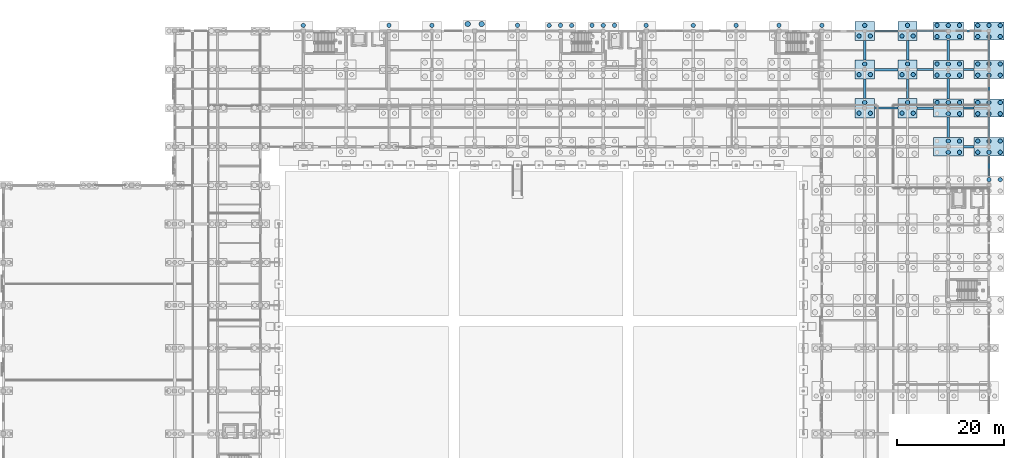
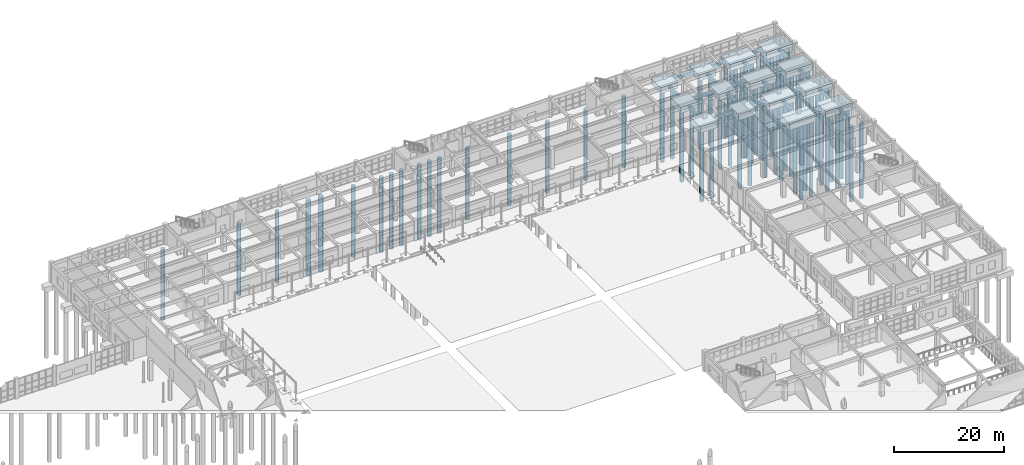
# One storey, part 9 of 166: 82 piles, 35 footings.
"""IFC4 building model written with IfcOpenShell, lengths in metres."""

from ifc_helpers import new_model, si_unit, direction, frame, origin, origin_2d, place, context, subcontext, project, spatial, rectangle, circle, extrude, material, material_profile, profile_set, type_object, element, save


model = new_model("IFC4")

# Units and contexts
model_context = context("Model", 3, precision=1e-05, world=origin(), true_north=direction((0.0, 1.0)))
body_context = subcontext(model_context, "Body", "Model", "MODEL_VIEW")
ifc_project = project(units=[si_unit("LENGTHUNIT", "METRE"), si_unit("AREAUNIT", "SQUARE_METRE"), si_unit("VOLUMEUNIT", "CUBIC_METRE"), si_unit("PLANEANGLEUNIT", "RADIAN"), si_unit("MASSUNIT", "GRAM", prefix="KILO")], contexts=[model_context])

# Site, building, storey
site_placement = place(None, origin())
site = spatial("IfcSite", under=ifc_project, at=site_placement, CompositionType="ELEMENT")
building_placement = place(site_placement, origin())
building = spatial("IfcBuilding", under=site, at=building_placement, Name="Kharva Crest Polytechnic", CompositionType="ELEMENT")
storey_placement = place(building_placement, origin())
storey = spatial("IfcBuildingStorey", under=building, at=storey_placement, Name="L00", CompositionType="ELEMENT", Elevation=0.0)

# Footings
ifc_material = material(Name="Concrete C35/45", Category="concrete")
footing_type_1 = type_object("IfcFootingType", Name="FTG-GB-400X600", PredefinedType="FOOTING_BEAM", material=ifc_material)
footing_1_placement = place(storey_placement, frame((164.800048828125, 107.60009765625, -1.005126953125), z_axis=(0.0, 0.0, 1.0), x_axis=(1.0, 0.0, 0.0)))
element("IfcFooting", 1, at=footing_1_placement, inside=storey, type_object=footing_type_1, Name="L00 Ground Tie Beam Q/21-22", PredefinedType="FOOTING_BEAM", context=body_context, shape_type="SweptSolid", body=[
    extrude(rectangle(XDim=4.39990234375, YDim=0.39990234375, at=origin_2d()), origin(), (0.0, 0.0, 1.0), 0.60009765625),
])
footing_2_placement = place(storey_placement, frame((180.199951171875, 114.800048828125, -1.005126953125), z_axis=(0.0, 0.0, 1.0), x_axis=(1.0, 0.0, 0.0)))
element("IfcFooting", 2, at=footing_2_placement, inside=storey, type_object=footing_type_1, Name="L00 Ground Tie Beam R/23-24", PredefinedType="FOOTING_BEAM", context=body_context, shape_type="SweptSolid", body=[
    extrude(rectangle(XDim=2.0, YDim=0.39990234375, at=origin_2d()), origin(), (0.0, 0.0, 1.0), 0.60009765625),
])
footing_3_placement = place(storey_placement, frame((172.10009765625, 122.0, -1.005126953125), z_axis=(0.0, 0.0, 1.0), x_axis=(1.0, 0.0, 0.0)))
element("IfcFooting", 3, at=footing_3_placement, inside=storey, type_object=footing_type_1, Name="L00 Ground Tie Beam S/22-23", PredefinedType="FOOTING_BEAM", context=body_context, shape_type="SweptSolid", body=[
    extrude(rectangle(XDim=3.0, YDim=0.39990234375, at=origin_2d()), origin(), (0.0, 0.0, 1.0), 0.60009765625),
])
footing_4_placement = place(storey_placement, frame((168.800048828125, 111.199951171875, -1.005126953125), z_axis=(0.0, 0.0, 1.0), x_axis=(0.0, 1.0, 0.0)))
element("IfcFooting", 4, at=footing_4_placement, inside=storey, type_object=footing_type_1, Name="L00 Ground Tie Beam 22/Q-R", PredefinedType="FOOTING_BEAM", context=body_context, shape_type="SweptSolid", body=[
    extrude(rectangle(XDim=3.60009765625, YDim=0.39990234375, at=origin_2d()), origin(), (0.0, 0.0, 1.0), 0.60009765625),
])
for number, where, z_axis, x_axis, name in (
    (5, (176.39990234375, 118.39990234375, -1.005126953125), (0.0, 0.0, 1.0), (0.0, 1.0, 0.0), "L00 Ground Tie Beam 23/R-S"),
    (6, (184.0, 104.0, -1.005126953125), (0.0, 0.0, 1.0), (0.0, 1.0, 0.0), "L00 Ground Tie Beam 24/P-Q"),
):
    element("IfcFooting", number, at=place(storey_placement, frame(where, z_axis=z_axis, x_axis=x_axis)), inside=storey, type_object=footing_type_1, Name=name, PredefinedType="FOOTING_BEAM", context=body_context, shape_type="SweptSolid", body=[
        extrude(rectangle(XDim=3.800048828125, YDim=0.39990234375, at=origin_2d()), origin(), (0.0, 0.0, 1.0), 0.60009765625),
    ])
footing_type_2 = type_object("IfcFootingType", Name="FTG-GB-420X620", PredefinedType="FOOTING_BEAM", material=ifc_material)
footing_5_placement = place(storey_placement, frame((180.199951171875, 107.60009765625, -1.025146484375), z_axis=(0.0, 0.0, 1.0), x_axis=(1.0, 0.0, 0.0)))
element("IfcFooting", 7, at=footing_5_placement, inside=storey, type_object=footing_type_2, Name="L00 Ground Tie Beam Q/23-24", PredefinedType="FOOTING_BEAM", context=body_context, shape_type="SweptSolid", body=[
    extrude(rectangle(XDim=2.0, YDim=0.419921875, at=origin_2d()), origin(), (0.0, 0.0, 1.0), 0.6201171875),
])
footing_6_placement = place(storey_placement, frame((172.10009765625, 114.800048828125, -1.025146484375), z_axis=(0.0, 0.0, 1.0), x_axis=(1.0, 0.0, 0.0)))
element("IfcFooting", 8, at=footing_6_placement, inside=storey, type_object=footing_type_2, Name="L00 Ground Tie Beam R/22-23", PredefinedType="FOOTING_BEAM", context=body_context, shape_type="SweptSolid", body=[
    extrude(rectangle(XDim=3.0, YDim=0.419921875, at=origin_2d()), origin(), (0.0, 0.0, 1.0), 0.6201171875),
])
footing_7_placement = place(storey_placement, frame((164.800048828125, 122.0, -1.025146484375), z_axis=(0.0, 0.0, 1.0), x_axis=(1.0, 0.0, 0.0)))
element("IfcFooting", 9, at=footing_7_placement, inside=storey, type_object=footing_type_2, Name="L00 Ground Tie Beam S/21-22", PredefinedType="FOOTING_BEAM", context=body_context, shape_type="SweptSolid", body=[
    extrude(rectangle(XDim=4.39990234375, YDim=0.419921875, at=origin_2d()), origin(), (0.0, 0.0, 1.0), 0.6201171875),
])
footing_8_placement = place(storey_placement, frame((160.800048828125, 118.39990234375, -1.025146484375), z_axis=(0.0, 0.0, 1.0), x_axis=(0.0, 1.0, 0.0)))
element("IfcFooting", 10, at=footing_8_placement, inside=storey, type_object=footing_type_2, Name="L00 Ground Tie Beam 21/R-S", PredefinedType="FOOTING_BEAM", context=body_context, shape_type="SweptSolid", body=[
    extrude(rectangle(XDim=3.60009765625, YDim=0.419921875, at=origin_2d()), origin(), (0.0, 0.0, 1.0), 0.6201171875),
])
for number, where, z_axis, x_axis, name in (
    (11, (176.39990234375, 111.199951171875, -1.025146484375), (0.0, 0.0, 1.0), (0.0, 1.0, 0.0), "L00 Ground Tie Beam 23/Q-R"),
    (12, (184.0, 96.800048828125, -1.025146484375), (0.0, 0.0, 1.0), (0.0, 1.0, 0.0), "L00 Ground Tie Beam 24/N-P"),
    (13, (184.0, 118.39990234375, -1.025146484375), (0.0, 0.0, 1.0), (0.0, 1.0, 0.0), "L00 Ground Tie Beam 24/R-S"),
):
    element("IfcFooting", number, at=place(storey_placement, frame(where, z_axis=z_axis, x_axis=x_axis)), inside=storey, type_object=footing_type_2, Name=name, PredefinedType="FOOTING_BEAM", context=body_context, shape_type="SweptSolid", body=[
        extrude(rectangle(XDim=3.800048828125, YDim=0.419921875, at=origin_2d()), origin(), (0.0, 0.0, 1.0), 0.6201171875),
    ])
footing_type_3 = type_object("IfcFootingType", Name="FTG-GB-450X650", PredefinedType="FOOTING_BEAM", material=ifc_material)
footing_9_placement = place(storey_placement, frame((180.199951171875, 100.39990234375, -1.054931640625), z_axis=(0.0, 0.0, 1.0), x_axis=(1.0, 0.0, 0.0)))
element("IfcFooting", 14, at=footing_9_placement, inside=storey, type_object=footing_type_3, Name="L00 Ground Tie Beam P/23-24", PredefinedType="FOOTING_BEAM", context=body_context, shape_type="SweptSolid", body=[
    extrude(rectangle(XDim=2.0, YDim=0.449951171875, at=origin_2d()), origin(), (0.0, 0.0, 1.0), 0.64990234375),
])
footing_10_placement = place(storey_placement, frame((172.10009765625, 107.60009765625, -1.054931640625), z_axis=(0.0, 0.0, 1.0), x_axis=(1.0, 0.0, 0.0)))
element("IfcFooting", 15, at=footing_10_placement, inside=storey, type_object=footing_type_3, Name="L00 Ground Tie Beam Q/22-23", PredefinedType="FOOTING_BEAM", context=body_context, shape_type="SweptSolid", body=[
    extrude(rectangle(XDim=3.0, YDim=0.449951171875, at=origin_2d()), origin(), (0.0, 0.0, 1.0), 0.64990234375),
])
footing_11_placement = place(storey_placement, frame((164.800048828125, 114.800048828125, -1.054931640625), z_axis=(0.0, 0.0, 1.0), x_axis=(1.0, 0.0, 0.0)))
element("IfcFooting", 16, at=footing_11_placement, inside=storey, type_object=footing_type_3, Name="L00 Ground Tie Beam R/21-22", PredefinedType="FOOTING_BEAM", context=body_context, shape_type="SweptSolid", body=[
    extrude(rectangle(XDim=4.39990234375, YDim=0.449951171875, at=origin_2d()), origin(), (0.0, 0.0, 1.0), 0.64990234375),
])
footing_12_placement = place(storey_placement, frame((180.199951171875, 122.0, -1.054931640625), z_axis=(0.0, 0.0, 1.0), x_axis=(1.0, 0.0, 0.0)))
element("IfcFooting", 17, at=footing_12_placement, inside=storey, type_object=footing_type_3, Name="L00 Ground Tie Beam S/23-24", PredefinedType="FOOTING_BEAM", context=body_context, shape_type="SweptSolid", body=[
    extrude(rectangle(XDim=2.0, YDim=0.449951171875, at=origin_2d()), origin(), (0.0, 0.0, 1.0), 0.64990234375),
])
for number, where, z_axis, x_axis, name in (
    (18, (160.800048828125, 111.199951171875, -1.054931640625), (0.0, 0.0, 1.0), (0.0, 1.0, 0.0), "L00 Ground Tie Beam 21/Q-R"),
    (19, (168.800048828125, 118.39990234375, -1.054931640625), (0.0, 0.0, 1.0), (0.0, 1.0, 0.0), "L00 Ground Tie Beam 22/R-S"),
):
    element("IfcFooting", number, at=place(storey_placement, frame(where, z_axis=z_axis, x_axis=x_axis)), inside=storey, type_object=footing_type_3, Name=name, PredefinedType="FOOTING_BEAM", context=body_context, shape_type="SweptSolid", body=[
        extrude(rectangle(XDim=3.60009765625, YDim=0.449951171875, at=origin_2d()), origin(), (0.0, 0.0, 1.0), 0.64990234375),
    ])
for number, where, z_axis, x_axis, name in (
    (20, (176.39990234375, 104.0, -1.054931640625), (0.0, 0.0, 1.0), (0.0, 1.0, 0.0), "L00 Ground Tie Beam 23/P-Q"),
    (21, (184.0, 111.199951171875, -1.054931640625), (0.0, 0.0, 1.0), (0.0, 1.0, 0.0), "L00 Ground Tie Beam 24/Q-R"),
):
    element("IfcFooting", number, at=place(storey_placement, frame(where, z_axis=z_axis, x_axis=x_axis)), inside=storey, type_object=footing_type_3, Name=name, PredefinedType="FOOTING_BEAM", context=body_context, shape_type="SweptSolid", body=[
        extrude(rectangle(XDim=3.800048828125, YDim=0.449951171875, at=origin_2d()), origin(), (0.0, 0.0, 1.0), 0.64990234375),
    ])
footing_type_4 = type_object("IfcFootingType", Name="FTG-PC-3600X3600", PredefinedType="PILE_CAP", material=ifc_material)
for number, where, z_axis, x_axis, name in (
    (22, (160.800048828125, 107.60009765625, -1.755126953125), (0.0, 0.0, 1.0), (1.0, 0.0, 0.0), "L00 Pile Cap 21/Q"),
    (23, (160.800048828125, 114.800048828125, -1.755126953125), (0.0, 0.0, 1.0), (1.0, 0.0, 0.0), "L00 Pile Cap 21/R"),
    (24, (160.800048828125, 122.0, -1.755126953125), (0.0, 0.0, 1.0), (1.0, 0.0, 0.0), "L00 Pile Cap 21/S"),
    (25, (168.800048828125, 107.60009765625, -1.755126953125), (0.0, 0.0, 1.0), (1.0, 0.0, 0.0), "L00 Pile Cap 22/Q"),
    (26, (168.800048828125, 114.800048828125, -1.755126953125), (0.0, 0.0, 1.0), (1.0, 0.0, 0.0), "L00 Pile Cap 22/R"),
    (27, (168.800048828125, 122.0, -1.755126953125), (0.0, 0.0, 1.0), (1.0, 0.0, 0.0), "L00 Pile Cap 22/S"),
):
    element("IfcFooting", number, at=place(storey_placement, frame(where, z_axis=z_axis, x_axis=x_axis)), inside=storey, type_object=footing_type_4, Name=name, PredefinedType="PILE_CAP", context=body_context, shape_type="SweptSolid", body=[
        extrude(rectangle(XDim=3.60009765625, YDim=3.60009765625, at=origin_2d()), origin(), (0.0, 0.0, 1.0), 1.35009765625),
    ])
footing_type_5 = type_object("IfcFootingType", Name="FTG-PC-5600X3400", PredefinedType="PILE_CAP", material=ifc_material)
for number, where, z_axis, x_axis, name in (
    (28, (176.39990234375, 100.39990234375, -1.905029296875), (0.0, 0.0, 1.0), (1.0, 0.0, 0.0), "L00 Pile Cap 23/P"),
    (29, (176.39990234375, 107.60009765625, -1.905029296875), (0.0, 0.0, 1.0), (1.0, 0.0, 0.0), "L00 Pile Cap 23/Q"),
    (30, (176.39990234375, 114.800048828125, -1.905029296875), (0.0, 0.0, 1.0), (1.0, 0.0, 0.0), "L00 Pile Cap 23/R"),
    (31, (176.39990234375, 122.0, -1.905029296875), (0.0, 0.0, 1.0), (1.0, 0.0, 0.0), "L00 Pile Cap 23/S"),
    (32, (184.0, 100.39990234375, -1.905029296875), (0.0, 0.0, 1.0), (1.0, 0.0, 0.0), "L00 Pile Cap 24/P"),
    (33, (184.0, 107.60009765625, -1.905029296875), (0.0, 0.0, 1.0), (1.0, 0.0, 0.0), "L00 Pile Cap 24/Q"),
    (34, (184.0, 114.800048828125, -1.905029296875), (0.0, 0.0, 1.0), (1.0, 0.0, 0.0), "L00 Pile Cap 24/R"),
    (35, (184.0, 122.0, -1.905029296875), (0.0, 0.0, 1.0), (1.0, 0.0, 0.0), "L00 Pile Cap 24/S"),
):
    element("IfcFooting", number, at=place(storey_placement, frame(where, z_axis=z_axis, x_axis=x_axis)), inside=storey, type_object=footing_type_5, Name=name, PredefinedType="PILE_CAP", context=body_context, shape_type="SweptSolid", body=[
        extrude(rectangle(XDim=5.60009765625, YDim=3.39990234375, at=origin_2d()), origin(), (0.0, 0.0, 1.0), 1.5),
    ])

# Piles
ifc_material_profile_1 = material_profile(ifc_material, circle(Radius=0.5, at=origin_2d()), Name="DIA 1000")
ifc_profile_set_1 = profile_set([ifc_material_profile_1], Name="Concrete C35/45")
pile_type_1 = type_object("IfcPileType", Name="PILE-BORED-1000", PredefinedType="BORED", material=ifc_profile_set_1)
for number, where, z_axis, x_axis, name in (
    (36, (86.699951171875, 123.300048828125, -1.7548828125), (0.0, 0.0, -1.0), (1.0, 0.0, 0.0), "L00 Bored Pile 12/S-3"),
    (37, (89.300048828125, 123.300048828125, -1.7548828125), (0.0, 0.0, -1.0), (1.0, 0.0, 0.0), "L00 Bored Pile 12/S-4"),
):
    element("IfcPile", number, at=place(storey_placement, frame(where, z_axis=z_axis, x_axis=x_axis)), inside=storey, type_object=pile_type_1, Name=name, PredefinedType="BORED", context=body_context, shape_type="SweptSolid", body=[
        extrude(circle(Radius=0.5, at=origin_2d()), origin(), (0.0, 0.0, 1.0), 16.7451171875),
    ])
ifc_material_profile_2 = material_profile(ifc_material, circle(Radius=0.39990234375, at=origin_2d()), Name="DIA 800")
ifc_profile_set_2 = profile_set([ifc_material_profile_2], Name="Concrete C35/45")
pile_type_2 = type_object("IfcPileType", Name="PILE-BORED-800", PredefinedType="BORED", material=ifc_profile_set_2)
for number, where, z_axis, x_axis, name in (
    (38, (72.0, 123.050048828125, -1.655029296875), (0.0, 0.0, -1.0), (1.0, 0.0, 0.0), "L00 Bored Pile 10/S-3"),
    (39, (80.0, 123.050048828125, -1.655029296875), (0.0, 0.0, -1.0), (1.0, 0.0, 0.0), "L00 Bored Pile 11/S-3"),
    (40, (96.0, 123.050048828125, -1.655029296875), (0.0, 0.0, -1.0), (1.0, 0.0, 0.0), "L00 Bored Pile 13/S-3"),
):
    element("IfcPile", number, at=place(storey_placement, frame(where, z_axis=z_axis, x_axis=x_axis)), inside=storey, type_object=pile_type_2, Name=name, PredefinedType="BORED", context=body_context, shape_type="SweptSolid", body=[
        extrude(circle(Radius=0.39990234375, at=origin_2d()), origin(), (0.0, 0.0, 1.0), 15.844970703125),
    ])
for number, where, z_axis, x_axis, name in (
    (41, (101.89990234375, 123.050048828125, -1.804931640625), (0.0, 0.0, -1.0), (1.0, 0.0, 0.0), "L00 Bored Pile 14/S-4"),
    (42, (104.0, 123.050048828125, -1.804931640625), (0.0, 0.0, -1.0), (1.0, 0.0, 0.0), "L00 Bored Pile 14/S-5"),
    (43, (106.10009765625, 123.050048828125, -1.804931640625), (0.0, 0.0, -1.0), (1.0, 0.0, 0.0), "L00 Bored Pile 14/S-6"),
    (44, (109.89990234375, 123.050048828125, -1.804931640625), (0.0, 0.0, -1.0), (1.0, 0.0, 0.0), "L00 Bored Pile 15/S-4"),
    (45, (112.0, 123.050048828125, -1.804931640625), (0.0, 0.0, -1.0), (1.0, 0.0, 0.0), "L00 Bored Pile 15/S-5"),
    (46, (114.10009765625, 123.050048828125, -1.804931640625), (0.0, 0.0, -1.0), (1.0, 0.0, 0.0), "L00 Bored Pile 15/S-6"),
):
    element("IfcPile", number, at=place(storey_placement, frame(where, z_axis=z_axis, x_axis=x_axis)), inside=storey, type_object=pile_type_2, Name=name, PredefinedType="BORED", context=body_context, shape_type="SweptSolid", body=[
        extrude(circle(Radius=0.39990234375, at=origin_2d()), origin(), (0.0, 0.0, 1.0), 16.695068359375),
    ])
for number, where, z_axis, x_axis, name in (
    (47, (120.0, 123.050048828125, -1.655029296875), (0.0, 0.0, -1.0), (1.0, 0.0, 0.0), "L00 Bored Pile 16/S-3"),
    (48, (128.800048828125, 123.050048828125, -1.655029296875), (0.0, 0.0, -1.0), (1.0, 0.0, 0.0), "L00 Bored Pile 17/S-3"),
    (49, (136.800048828125, 123.050048828125, -1.655029296875), (0.0, 0.0, -1.0), (1.0, 0.0, 0.0), "L00 Bored Pile 18/S-3"),
    (50, (144.800048828125, 123.050048828125, -1.655029296875), (0.0, 0.0, -1.0), (1.0, 0.0, 0.0), "L00 Bored Pile 19/S-3"),
    (51, (152.800048828125, 123.050048828125, -1.655029296875), (0.0, 0.0, -1.0), (1.0, 0.0, 0.0), "L00 Bored Pile 20/S-3"),
    (52, (159.75, 106.64990234375, -1.655029296875), (0.0, 0.0, -1.0), (1.0, 0.0, 0.0), "L00 Bored Pile 21/Q-1"),
    (53, (161.85009765625, 106.64990234375, -1.655029296875), (0.0, 0.0, -1.0), (1.0, 0.0, 0.0), "L00 Bored Pile 21/Q-2"),
    (54, (160.800048828125, 108.64990234375, -1.655029296875), (0.0, 0.0, -1.0), (1.0, 0.0, 0.0), "L00 Bored Pile 21/Q-3"),
    (55, (159.75, 113.85009765625, -1.655029296875), (0.0, 0.0, -1.0), (1.0, 0.0, 0.0), "L00 Bored Pile 21/R-1"),
    (56, (161.85009765625, 113.85009765625, -1.655029296875), (0.0, 0.0, -1.0), (1.0, 0.0, 0.0), "L00 Bored Pile 21/R-2"),
    (57, (160.800048828125, 115.85009765625, -1.655029296875), (0.0, 0.0, -1.0), (1.0, 0.0, 0.0), "L00 Bored Pile 21/R-3"),
    (58, (159.75, 121.050048828125, -1.655029296875), (0.0, 0.0, -1.0), (1.0, 0.0, 0.0), "L00 Bored Pile 21/S-1"),
    (59, (161.85009765625, 121.050048828125, -1.655029296875), (0.0, 0.0, -1.0), (1.0, 0.0, 0.0), "L00 Bored Pile 21/S-2"),
    (60, (160.800048828125, 123.050048828125, -1.655029296875), (0.0, 0.0, -1.0), (1.0, 0.0, 0.0), "L00 Bored Pile 21/S-3"),
    (61, (167.75, 106.64990234375, -1.655029296875), (0.0, 0.0, -1.0), (1.0, 0.0, 0.0), "L00 Bored Pile 22/Q-1"),
    (62, (169.85009765625, 106.64990234375, -1.655029296875), (0.0, 0.0, -1.0), (1.0, 0.0, 0.0), "L00 Bored Pile 22/Q-2"),
    (63, (168.800048828125, 108.64990234375, -1.655029296875), (0.0, 0.0, -1.0), (1.0, 0.0, 0.0), "L00 Bored Pile 22/Q-3"),
    (64, (167.75, 113.85009765625, -1.655029296875), (0.0, 0.0, -1.0), (1.0, 0.0, 0.0), "L00 Bored Pile 22/R-1"),
    (65, (169.85009765625, 113.85009765625, -1.655029296875), (0.0, 0.0, -1.0), (1.0, 0.0, 0.0), "L00 Bored Pile 22/R-2"),
    (66, (168.800048828125, 115.85009765625, -1.655029296875), (0.0, 0.0, -1.0), (1.0, 0.0, 0.0), "L00 Bored Pile 22/R-3"),
    (67, (167.75, 121.050048828125, -1.655029296875), (0.0, 0.0, -1.0), (1.0, 0.0, 0.0), "L00 Bored Pile 22/S-1"),
    (68, (169.85009765625, 121.050048828125, -1.655029296875), (0.0, 0.0, -1.0), (1.0, 0.0, 0.0), "L00 Bored Pile 22/S-2"),
    (69, (168.800048828125, 123.050048828125, -1.655029296875), (0.0, 0.0, -1.0), (1.0, 0.0, 0.0), "L00 Bored Pile 22/S-3"),
):
    element("IfcPile", number, at=place(storey_placement, frame(where, z_axis=z_axis, x_axis=x_axis)), inside=storey, type_object=pile_type_2, Name=name, PredefinedType="BORED", context=body_context, shape_type="SweptSolid", body=[
        extrude(circle(Radius=0.39990234375, at=origin_2d()), origin(), (0.0, 0.0, 1.0), 15.844970703125),
    ])
for number, where, z_axis, x_axis, name in (
    (70, (176.39990234375, 99.35009765625, -1.804931640625), (0.0, 0.0, -1.0), (1.0, 0.0, 0.0), "L00 Bored Pile 23/P-2"),
    (71, (178.5, 99.35009765625, -1.804931640625), (0.0, 0.0, -1.0), (1.0, 0.0, 0.0), "L00 Bored Pile 23/P-3"),
    (72, (176.39990234375, 101.449951171875, -1.804931640625), (0.0, 0.0, -1.0), (1.0, 0.0, 0.0), "L00 Bored Pile 23/P-5"),
    (73, (178.5, 101.449951171875, -1.804931640625), (0.0, 0.0, -1.0), (1.0, 0.0, 0.0), "L00 Bored Pile 23/P-6"),
    (74, (176.39990234375, 106.550048828125, -1.804931640625), (0.0, 0.0, -1.0), (1.0, 0.0, 0.0), "L00 Bored Pile 23/Q-2"),
    (75, (178.5, 106.550048828125, -1.804931640625), (0.0, 0.0, -1.0), (1.0, 0.0, 0.0), "L00 Bored Pile 23/Q-3"),
    (76, (174.300048828125, 108.64990234375, -1.804931640625), (0.0, 0.0, -1.0), (1.0, 0.0, 0.0), "L00 Bored Pile 23/Q-4"),
    (77, (176.39990234375, 108.64990234375, -1.804931640625), (0.0, 0.0, -1.0), (1.0, 0.0, 0.0), "L00 Bored Pile 23/Q-5"),
    (78, (178.5, 108.64990234375, -1.804931640625), (0.0, 0.0, -1.0), (1.0, 0.0, 0.0), "L00 Bored Pile 23/Q-6"),
    (79, (174.300048828125, 113.75, -1.804931640625), (0.0, 0.0, -1.0), (1.0, 0.0, 0.0), "L00 Bored Pile 23/R-1"),
    (80, (176.39990234375, 113.75, -1.804931640625), (0.0, 0.0, -1.0), (1.0, 0.0, 0.0), "L00 Bored Pile 23/R-2"),
    (81, (178.5, 113.75, -1.804931640625), (0.0, 0.0, -1.0), (1.0, 0.0, 0.0), "L00 Bored Pile 23/R-3"),
    (82, (174.300048828125, 115.85009765625, -1.804931640625), (0.0, 0.0, -1.0), (1.0, 0.0, 0.0), "L00 Bored Pile 23/R-4"),
    (83, (176.39990234375, 115.85009765625, -1.804931640625), (0.0, 0.0, -1.0), (1.0, 0.0, 0.0), "L00 Bored Pile 23/R-5"),
    (84, (178.5, 115.85009765625, -1.804931640625), (0.0, 0.0, -1.0), (1.0, 0.0, 0.0), "L00 Bored Pile 23/R-6"),
    (85, (174.300048828125, 120.949951171875, -1.804931640625), (0.0, 0.0, -1.0), (1.0, 0.0, 0.0), "L00 Bored Pile 23/S-1"),
    (86, (176.39990234375, 120.949951171875, -1.804931640625), (0.0, 0.0, -1.0), (1.0, 0.0, 0.0), "L00 Bored Pile 23/S-2"),
    (87, (178.5, 120.949951171875, -1.804931640625), (0.0, 0.0, -1.0), (1.0, 0.0, 0.0), "L00 Bored Pile 23/S-3"),
    (88, (174.300048828125, 123.050048828125, -1.804931640625), (0.0, 0.0, -1.0), (1.0, 0.0, 0.0), "L00 Bored Pile 23/S-4"),
    (89, (176.39990234375, 123.050048828125, -1.804931640625), (0.0, 0.0, -1.0), (1.0, 0.0, 0.0), "L00 Bored Pile 23/S-5"),
    (90, (178.5, 123.050048828125, -1.804931640625), (0.0, 0.0, -1.0), (1.0, 0.0, 0.0), "L00 Bored Pile 23/S-6"),
    (91, (184.0, 94.25, -1.804931640625), (0.0, 0.0, -1.0), (1.0, 0.0, 0.0), "L00 Bored Pile 24/N-5"),
    (92, (186.10009765625, 94.25, -1.804931640625), (0.0, 0.0, -1.0), (1.0, 0.0, 0.0), "L00 Bored Pile 24/N-6"),
    (93, (181.89990234375, 99.35009765625, -1.804931640625), (0.0, 0.0, -1.0), (1.0, 0.0, 0.0), "L00 Bored Pile 24/P-1"),
    (94, (184.0, 99.35009765625, -1.804931640625), (0.0, 0.0, -1.0), (1.0, 0.0, 0.0), "L00 Bored Pile 24/P-2"),
    (95, (186.10009765625, 99.35009765625, -1.804931640625), (0.0, 0.0, -1.0), (1.0, 0.0, 0.0), "L00 Bored Pile 24/P-3"),
    (96, (181.89990234375, 101.449951171875, -1.804931640625), (0.0, 0.0, -1.0), (1.0, 0.0, 0.0), "L00 Bored Pile 24/P-4"),
    (97, (184.0, 101.449951171875, -1.804931640625), (0.0, 0.0, -1.0), (1.0, 0.0, 0.0), "L00 Bored Pile 24/P-5"),
    (98, (186.10009765625, 101.449951171875, -1.804931640625), (0.0, 0.0, -1.0), (1.0, 0.0, 0.0), "L00 Bored Pile 24/P-6"),
    (99, (181.89990234375, 106.550048828125, -1.804931640625), (0.0, 0.0, -1.0), (1.0, 0.0, 0.0), "L00 Bored Pile 24/Q-1"),
    (100, (184.0, 106.550048828125, -1.804931640625), (0.0, 0.0, -1.0), (1.0, 0.0, 0.0), "L00 Bored Pile 24/Q-2"),
    (101, (186.10009765625, 106.550048828125, -1.804931640625), (0.0, 0.0, -1.0), (1.0, 0.0, 0.0), "L00 Bored Pile 24/Q-3"),
    (102, (181.89990234375, 108.64990234375, -1.804931640625), (0.0, 0.0, -1.0), (1.0, 0.0, 0.0), "L00 Bored Pile 24/Q-4"),
    (103, (184.0, 108.64990234375, -1.804931640625), (0.0, 0.0, -1.0), (1.0, 0.0, 0.0), "L00 Bored Pile 24/Q-5"),
    (104, (186.10009765625, 108.64990234375, -1.804931640625), (0.0, 0.0, -1.0), (1.0, 0.0, 0.0), "L00 Bored Pile 24/Q-6"),
    (105, (181.89990234375, 113.75, -1.804931640625), (0.0, 0.0, -1.0), (1.0, 0.0, 0.0), "L00 Bored Pile 24/R-1"),
    (106, (184.0, 113.75, -1.804931640625), (0.0, 0.0, -1.0), (1.0, 0.0, 0.0), "L00 Bored Pile 24/R-2"),
    (107, (186.10009765625, 113.75, -1.804931640625), (0.0, 0.0, -1.0), (1.0, 0.0, 0.0), "L00 Bored Pile 24/R-3"),
    (108, (181.89990234375, 115.85009765625, -1.804931640625), (0.0, 0.0, -1.0), (1.0, 0.0, 0.0), "L00 Bored Pile 24/R-4"),
    (109, (184.0, 115.85009765625, -1.804931640625), (0.0, 0.0, -1.0), (1.0, 0.0, 0.0), "L00 Bored Pile 24/R-5"),
    (110, (186.10009765625, 115.85009765625, -1.804931640625), (0.0, 0.0, -1.0), (1.0, 0.0, 0.0), "L00 Bored Pile 24/R-6"),
    (111, (181.89990234375, 120.949951171875, -1.804931640625), (0.0, 0.0, -1.0), (1.0, 0.0, 0.0), "L00 Bored Pile 24/S-1"),
    (112, (184.0, 120.949951171875, -1.804931640625), (0.0, 0.0, -1.0), (1.0, 0.0, 0.0), "L00 Bored Pile 24/S-2"),
    (113, (186.10009765625, 120.949951171875, -1.804931640625), (0.0, 0.0, -1.0), (1.0, 0.0, 0.0), "L00 Bored Pile 24/S-3"),
    (114, (181.89990234375, 123.050048828125, -1.804931640625), (0.0, 0.0, -1.0), (1.0, 0.0, 0.0), "L00 Bored Pile 24/S-4"),
    (115, (184.0, 123.050048828125, -1.804931640625), (0.0, 0.0, -1.0), (1.0, 0.0, 0.0), "L00 Bored Pile 24/S-5"),
    (116, (186.10009765625, 123.050048828125, -1.804931640625), (0.0, 0.0, -1.0), (1.0, 0.0, 0.0), "L00 Bored Pile 24/S-6"),
):
    element("IfcPile", number, at=place(storey_placement, frame(where, z_axis=z_axis, x_axis=x_axis)), inside=storey, type_object=pile_type_2, Name=name, PredefinedType="BORED", context=body_context, shape_type="SweptSolid", body=[
        extrude(circle(Radius=0.39990234375, at=origin_2d()), origin(), (0.0, 0.0, 1.0), 16.695068359375),
    ])
pile_placement = place(storey_placement, frame((56.0, 123.050048828125, -1.655029296875), z_axis=(0.0, 0.0, -1.0), x_axis=(1.0, 0.0, 0.0)))
element("IfcPile", 117, at=pile_placement, inside=storey, type_object=pile_type_2, Name="L00 Bored Pile 8/S-3", PredefinedType="BORED", context=body_context, shape_type="SweptSolid", body=[
    extrude(circle(Radius=0.39990234375, at=origin_2d()), origin(), (0.0, 0.0, 1.0), 15.844970703125),
])

save(model, "model.ifc")
